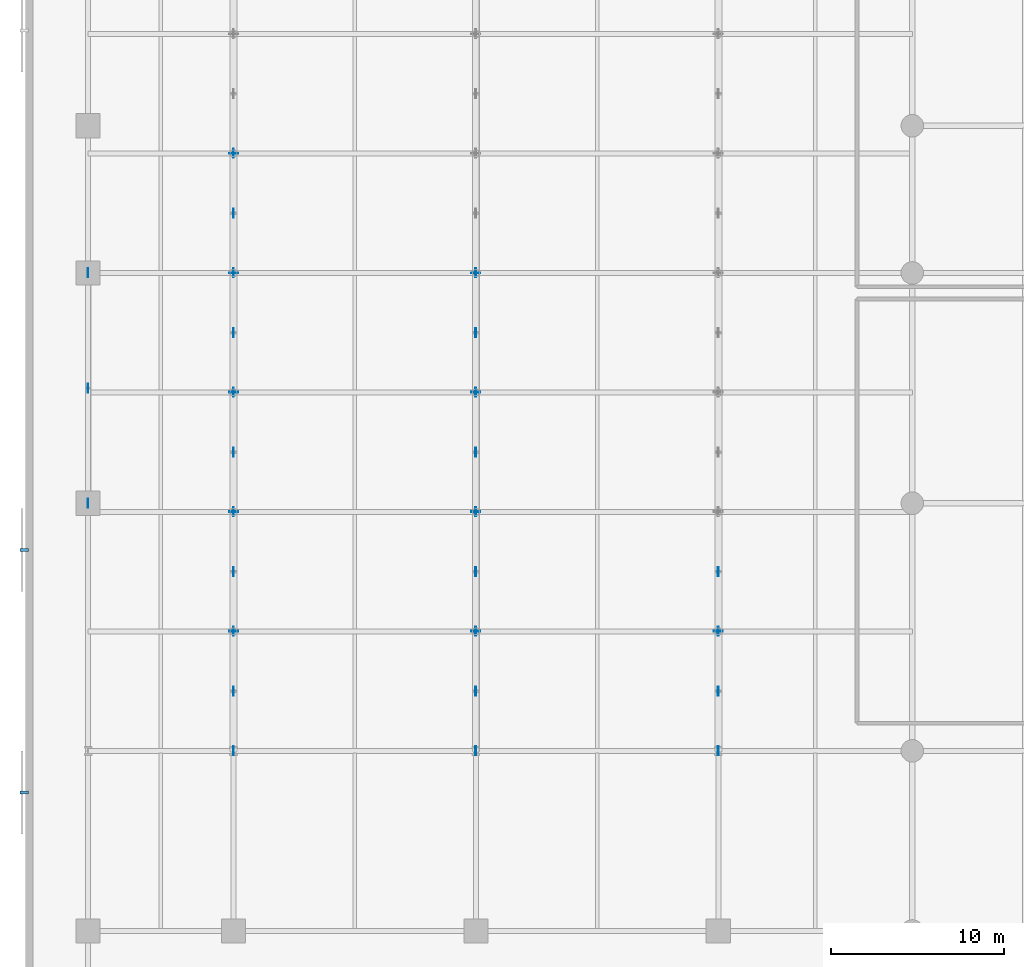
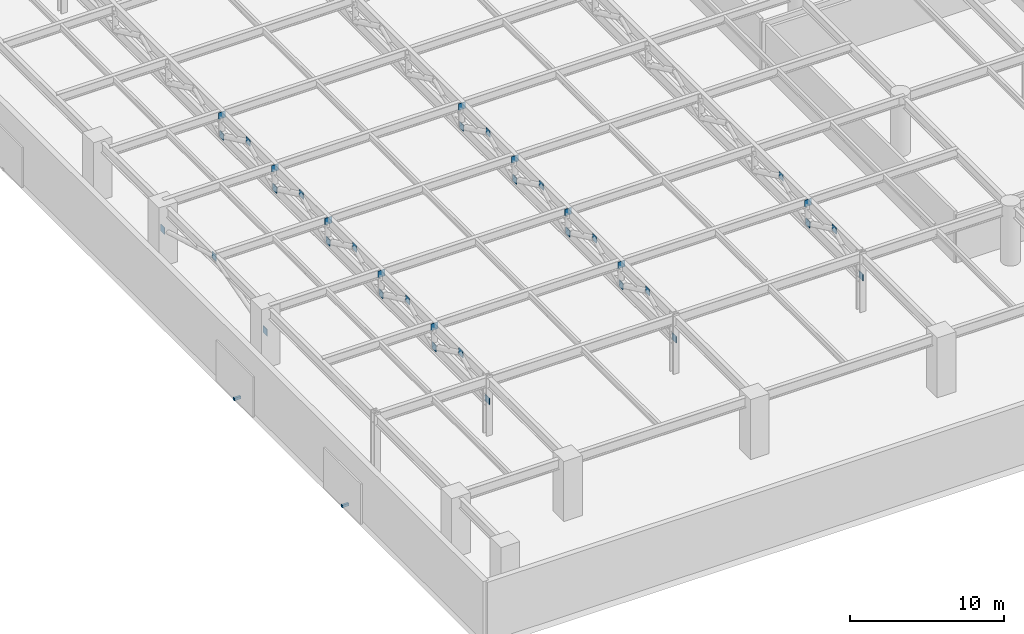
# One storey, part 29 of 40: 39 discrete accessories.
"""IFC4 building model written with IfcOpenShell, lengths in metres."""

from ifc_helpers import new_model, si_unit, direction, frame, origin, origin_2d, place, context, subcontext, project, spatial, rectangle, extrude, material, type_object, element, save


model = new_model("IFC4")

# Units and contexts
model_context = context("Model", 3, precision=1e-05, world=origin(), true_north=direction((0.0, 1.0)))
body_context = subcontext(model_context, "Body", "Model", "MODEL_VIEW")
ifc_project = project(units=[si_unit("LENGTHUNIT", "METRE"), si_unit("AREAUNIT", "SQUARE_METRE"), si_unit("VOLUMEUNIT", "CUBIC_METRE"), si_unit("PLANEANGLEUNIT", "RADIAN"), si_unit("MASSUNIT", "GRAM", prefix="KILO")], contexts=[model_context])

# Site, building, storey
site_placement = place(None, origin())
site = spatial("IfcSite", under=ifc_project, at=site_placement, CompositionType="ELEMENT")
building_placement = place(site_placement, origin())
building = spatial("IfcBuilding", under=site, at=building_placement, Name="Narakoshi Arena Tower", CompositionType="ELEMENT")
storey_placement = place(building_placement, frame((0.0, 0.0, 21.60009765625)))
storey = spatial("IfcBuildingStorey", under=building, at=storey_placement, Name="L05", CompositionType="ELEMENT", Elevation=21.60009765625)

# Discrete accessories
ifc_material_1 = material(Name="Structural steel S355J2", Category="steel")
discrete_accessory_type_1 = type_object("IfcDiscreteAccessoryType", Name="ACC-BRK-SCR", PredefinedType="BRACKET", material=ifc_material_1)
for number, where, z_axis, x_axis, name in (
    (1, (-0.080078125, 18.0, -0.080078125), (0.0, 0.0, 1.0), (0.0, 1.0, 0.0), "L05 Solar Screen Support Bracket SHD-L05-LVR-W1"),
    (2, (-0.080078125, 32.0, -0.080078125), (0.0, 0.0, 1.0), (0.0, 1.0, 0.0), "L05 Solar Screen Support Bracket SHD-L05-LVR-W2"),
):
    element("IfcDiscreteAccessory", number, at=place(storey_placement, frame(where, z_axis=z_axis, x_axis=x_axis)), inside=storey, type_object=discrete_accessory_type_1, Name=name, PredefinedType="BRACKET", context=body_context, shape_type="SweptSolid", body=[
        extrude(rectangle(XDim=0.159912109375, YDim=0.5, at=origin_2d()), origin(), (0.0, 0.0, 1.0), 0.199951171875),
    ])
ifc_material_2 = material(Name="Structural steel S460ML", Category="steel")
discrete_accessory_type_2 = type_object("IfcDiscreteAccessoryType", Name="ACC-GUS-PLT", PredefinedType="BRACKET", material=ifc_material_2)
for number, where, z_axis, x_axis, name in (
    (3, (3.60009765625, 34.699951171875, 2.139892578125), (0.0, 0.0, 1.0), (0.0, 1.0, 0.0), "L05 Brace Node Gusset Plate 0043"),
    (4, (3.60009765625, 41.35009765625, 4.039794921875), (0.0, 0.0, 1.0), (0.0, 1.0, 0.0), "L05 Brace Node Gusset Plate 0044"),
    (5, (3.60009765625, 48.0, 2.139892578125), (0.0, 0.0, 1.0), (0.0, 1.0, 0.0), "L05 Brace Node Gusset Plate 0045"),
    (6, (12.0, 20.39990234375, 2.43994140625), (0.0, 0.0, 1.0), (0.0, 1.0, 0.0), "L05 Brace Node Gusset Plate 0049"),
    (7, (12.0, 23.85009765625, 4.06494140625), (0.0, 0.0, 1.0), (0.0, 1.0, 0.0), "L05 Brace Node Gusset Plate 0050"),
    (8, (12.0, 27.300048828125, 2.43994140625), (0.0, 0.0, 1.0), (0.0, 1.0, 0.0), "L05 Brace Node Gusset Plate 0051"),
    (9, (12.0, 27.300048828125, 4.06494140625), (0.0, 0.0, 1.0), (1.0, 0.0, 0.0), "L05 Brace Node Gusset Plate 0052"),
    (10, (12.0, 30.75, 4.06494140625), (0.0, 0.0, 1.0), (0.0, 1.0, 0.0), "L05 Brace Node Gusset Plate 0053"),
    (11, (12.0, 34.199951171875, 2.43994140625), (0.0, 0.0, 1.0), (0.0, 1.0, 0.0), "L05 Brace Node Gusset Plate 0054"),
    (12, (12.0, 34.199951171875, 4.06494140625), (0.0, 0.0, 1.0), (1.0, 0.0, 0.0), "L05 Brace Node Gusset Plate 0055"),
    (13, (12.0, 37.64990234375, 4.06494140625), (0.0, 0.0, 1.0), (0.0, 1.0, 0.0), "L05 Brace Node Gusset Plate 0056"),
    (14, (12.0, 41.10009765625, 2.43994140625), (0.0, 0.0, 1.0), (0.0, 1.0, 0.0), "L05 Brace Node Gusset Plate 0057"),
    (15, (12.0, 41.10009765625, 4.06494140625), (0.0, 0.0, 1.0), (1.0, 0.0, 0.0), "L05 Brace Node Gusset Plate 0058"),
    (16, (12.0, 44.550048828125, 4.06494140625), (0.0, 0.0, 1.0), (0.0, 1.0, 0.0), "L05 Brace Node Gusset Plate 0059"),
    (17, (12.0, 48.0, 2.43994140625), (0.0, 0.0, 1.0), (0.0, 1.0, 0.0), "L05 Brace Node Gusset Plate 0060"),
    (18, (12.0, 48.0, 4.06494140625), (0.0, 0.0, 1.0), (1.0, 0.0, 0.0), "L05 Brace Node Gusset Plate 0061"),
    (19, (12.0, 51.449951171875, 4.06494140625), (0.0, 0.0, 1.0), (0.0, 1.0, 0.0), "L05 Brace Node Gusset Plate 0062"),
    (20, (12.0, 54.89990234375, 2.43994140625), (0.0, 0.0, 1.0), (0.0, 1.0, 0.0), "L05 Brace Node Gusset Plate 0063"),
    (21, (12.0, 54.89990234375, 4.06494140625), (0.0, 0.0, 1.0), (1.0, 0.0, 0.0), "L05 Brace Node Gusset Plate 0064"),
    (22, (26.0, 20.39990234375, 2.43994140625), (0.0, 0.0, 1.0), (0.0, 1.0, 0.0), "L05 Brace Node Gusset Plate 0073"),
    (23, (26.0, 23.85009765625, 4.06494140625), (0.0, 0.0, 1.0), (0.0, 1.0, 0.0), "L05 Brace Node Gusset Plate 0074"),
    (24, (26.0, 27.300048828125, 2.43994140625), (0.0, 0.0, 1.0), (0.0, 1.0, 0.0), "L05 Brace Node Gusset Plate 0075"),
    (25, (26.0, 27.300048828125, 4.06494140625), (0.0, 0.0, 1.0), (1.0, 0.0, 0.0), "L05 Brace Node Gusset Plate 0076"),
    (26, (26.0, 30.75, 4.06494140625), (0.0, 0.0, 1.0), (0.0, 1.0, 0.0), "L05 Brace Node Gusset Plate 0077"),
    (27, (26.0, 34.199951171875, 2.43994140625), (0.0, 0.0, 1.0), (0.0, 1.0, 0.0), "L05 Brace Node Gusset Plate 0078"),
    (28, (26.0, 34.199951171875, 4.06494140625), (0.0, 0.0, 1.0), (1.0, 0.0, 0.0), "L05 Brace Node Gusset Plate 0079"),
    (29, (26.0, 37.64990234375, 4.06494140625), (0.0, 0.0, 1.0), (0.0, 1.0, 0.0), "L05 Brace Node Gusset Plate 0080"),
    (30, (26.0, 41.10009765625, 2.43994140625), (0.0, 0.0, 1.0), (0.0, 1.0, 0.0), "L05 Brace Node Gusset Plate 0081"),
    (31, (26.0, 41.10009765625, 4.06494140625), (0.0, 0.0, 1.0), (1.0, 0.0, 0.0), "L05 Brace Node Gusset Plate 0082"),
    (32, (26.0, 44.550048828125, 4.06494140625), (0.0, 0.0, 1.0), (0.0, 1.0, 0.0), "L05 Brace Node Gusset Plate 0083"),
    (33, (26.0, 48.0, 2.43994140625), (0.0, 0.0, 1.0), (0.0, 1.0, 0.0), "L05 Brace Node Gusset Plate 0084"),
    (34, (26.0, 48.0, 4.06494140625), (0.0, 0.0, 1.0), (1.0, 0.0, 0.0), "L05 Brace Node Gusset Plate 0085"),
    (35, (40.0, 20.39990234375, 2.43994140625), (0.0, 0.0, 1.0), (0.0, 1.0, 0.0), "L05 Brace Node Gusset Plate 0097"),
    (36, (40.0, 23.85009765625, 4.06494140625), (0.0, 0.0, 1.0), (0.0, 1.0, 0.0), "L05 Brace Node Gusset Plate 0098"),
    (37, (40.0, 27.300048828125, 2.43994140625), (0.0, 0.0, 1.0), (0.0, 1.0, 0.0), "L05 Brace Node Gusset Plate 0099"),
    (38, (40.0, 27.300048828125, 4.06494140625), (0.0, 0.0, 1.0), (1.0, 0.0, 0.0), "L05 Brace Node Gusset Plate 0100"),
    (39, (40.0, 30.75, 4.06494140625), (0.0, 0.0, 1.0), (0.0, 1.0, 0.0), "L05 Brace Node Gusset Plate 0101"),
):
    element("IfcDiscreteAccessory", number, at=place(storey_placement, frame(where, z_axis=z_axis, x_axis=x_axis)), inside=storey, type_object=discrete_accessory_type_2, Name=name, PredefinedType="BRACKET", context=body_context, shape_type="SweptSolid", body=[
        extrude(rectangle(XDim=0.52001953125, YDim=0.050048828125, at=origin_2d()), origin(), (0.0, 0.0, 1.0), 0.52001953125),
    ])

save(model, "model.ifc")
